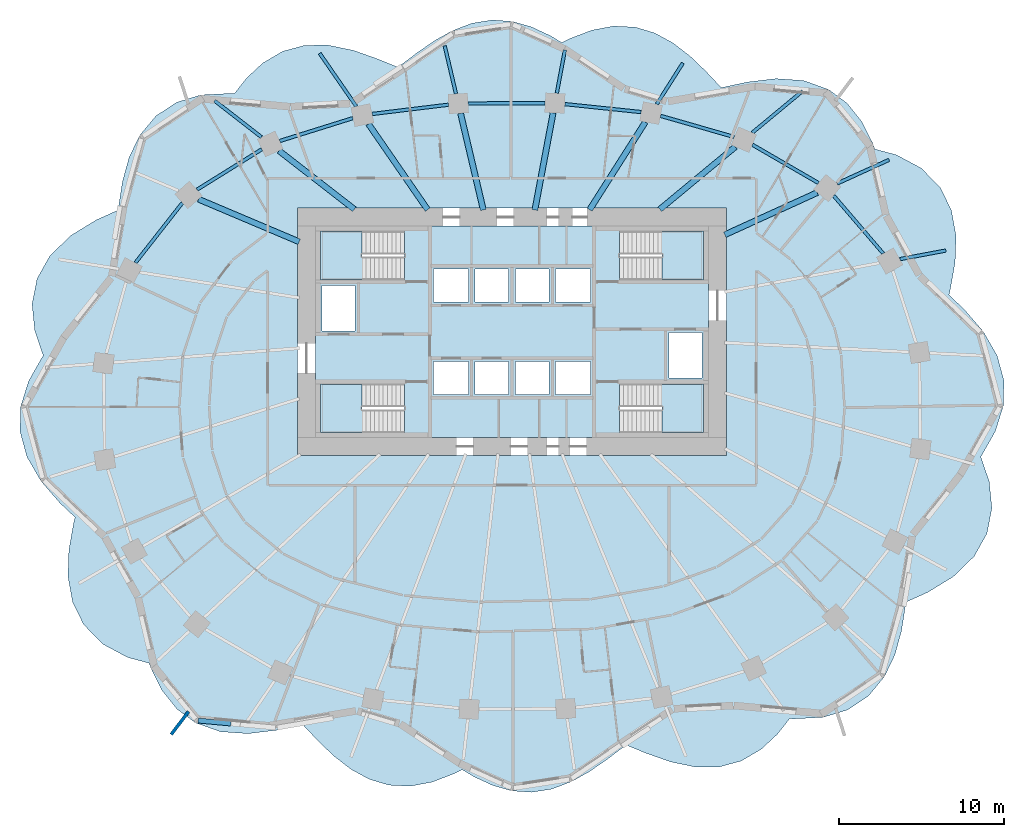
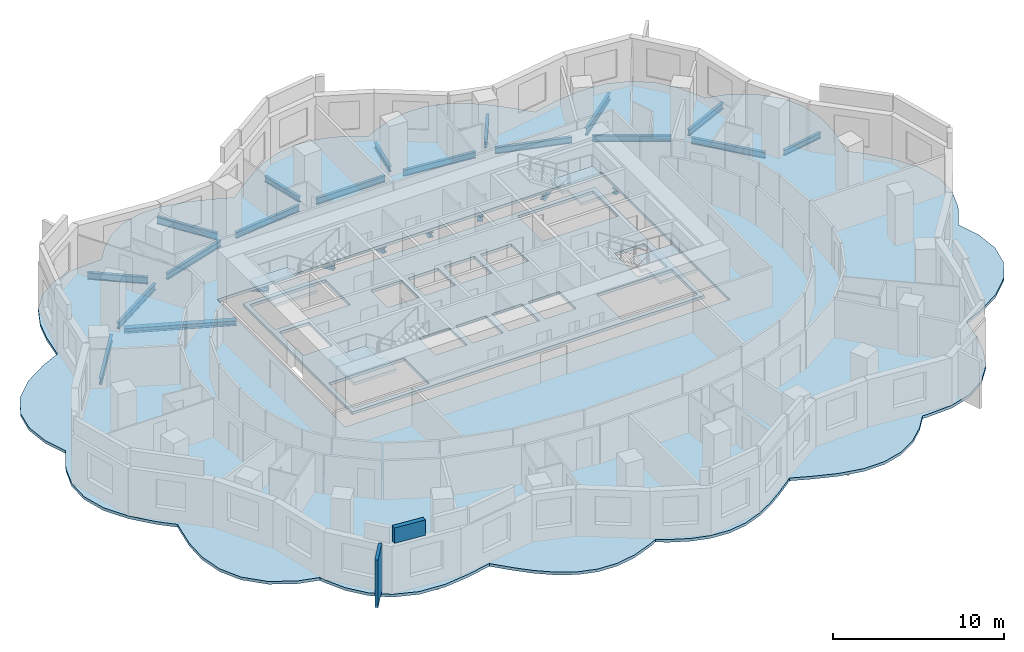
# One storey, part 2 of 11: 25 beams, 6 slabs, 2 walls, 4 elements without a shape of their own.
"""IFC4 building model written with IfcOpenShell, lengths in metres."""

import ifcopenshell
import ifcopenshell.guid

model = None  # the IFC model being written
_history = None  # IfcOwnerHistory: only IFC2X3 demands one
_inside = {}  # id of a spatial element -> (the spatial element, [elements in it])
_under = {}  # id of a project, library or spatial element -> (it, [spatial elements below it])
_declared = {}  # id of a project -> (the project, [libraries it declares])
_typed = {}  # id of a type object -> (the type object, [elements of that type])
_made_of = {}  # id of a material, layer set ... -> (it, [elements and type objects made of it])


def new_model(schema):
    """Start an empty IFC model of exactly this schema.

    Asked for "IFC4X3", IfcOpenShell would pick the latest addendum, in which some entities
    have other attributes; the version numbers below select the first issue.
    IFC2X3 requires an IfcOwnerHistory on every rooted entity: one is made here for all.
    """
    global model, _history
    if schema == "IFC4X3":
        model = ifcopenshell.file(schema_version=(4, 3, 0, 0))
    else:
        model = ifcopenshell.file(schema=schema)
    _inside.clear()
    _under.clear()
    _declared.clear()
    _typed.clear()
    _made_of.clear()
    _history = None
    if model.schema == "IFC2X3":
        org = make("IfcOrganization", Name="unknown")
        user = make(
            "IfcPersonAndOrganization",
            ThePerson=make("IfcPerson", FamilyName="unknown"),
            TheOrganization=org,
        )
        app = make(
            "IfcApplication",
            ApplicationDeveloper=org,
            Version="unknown",
            ApplicationFullName="unknown",
            ApplicationIdentifier="unknown",
        )
        _history = make(
            "IfcOwnerHistory",
            OwningUser=user,
            OwningApplication=app,
            ChangeAction="ADDED",
            CreationDate=0,
        )
    return model


def make(cls, **values):
    """One entity of the class cls with the attributes given. An attribute that is None is left unset."""
    return model.create_entity(
        cls, **{name: value for name, value in values.items() if value is not None}
    )


def rooted(cls, **values):
    """An entity with a GlobalId (a new one), such as an element, a storey or a relation."""
    return make(cls, GlobalId=ifcopenshell.guid.new(), OwnerHistory=_history, **values)


def si_unit(unit_type, name, prefix=None):
    """IfcSIUnit, for example si_unit("LENGTHUNIT", "METRE", prefix="MILLI")."""
    return make("IfcSIUnit", UnitType=unit_type, Prefix=prefix, Name=name)


def assignment(units):
    """IfcUnitAssignment: the units of a project."""
    return None if units is None else make("IfcUnitAssignment", Units=units)


def point(xyz):
    """IfcCartesianPoint."""
    return None if xyz is None else make("IfcCartesianPoint", Coordinates=xyz)


def direction(xyz):
    """IfcDirection."""
    return None if xyz is None else make("IfcDirection", DirectionRatios=xyz)


def frame(location, z_axis=None, x_axis=None):
    """IfcAxis2Placement3D, a coordinate frame: its origin and axes. An axis left out is left unset."""
    return make(
        "IfcAxis2Placement3D",
        Location=point(location),
        Axis=direction(z_axis),
        RefDirection=direction(x_axis),
    )


def frame_2d(location, x_axis=None):
    """IfcAxis2Placement2D, a coordinate frame in the plane: its origin and x axis."""
    return make(
        "IfcAxis2Placement2D", Location=point(location), RefDirection=direction(x_axis)
    )


def origin():
    """The frame at (0, 0, 0) with its axes left unset."""
    return frame((0.0, 0.0, 0.0))


def origin_2d():
    """The frame at (0, 0) in the plane with its x axis left unset."""
    return frame_2d((0.0, 0.0))


def place(relative_to, where):
    """IfcLocalPlacement: puts the frame where relative to a parent placement (None: the world)."""
    return make(
        "IfcLocalPlacement", PlacementRelTo=relative_to, RelativePlacement=where
    )


def context(
    kind, dimensions, precision=None, world=None, true_north=None, identifier=None
):
    """IfcGeometricRepresentationContext, for example the 3D "Model" context."""
    return make(
        "IfcGeometricRepresentationContext",
        ContextIdentifier=identifier,
        ContextType=kind,
        CoordinateSpaceDimension=dimensions,
        Precision=precision,
        WorldCoordinateSystem=world,
        TrueNorth=true_north,
    )


def subcontext(parent, identifier, kind, view, scale=None):
    """IfcGeometricRepresentationSubContext, for example "Body" below "Model"."""
    return make(
        "IfcGeometricRepresentationSubContext",
        ContextIdentifier=identifier,
        ContextType=kind,
        ParentContext=parent,
        TargetScale=scale,
        TargetView=view,
    )


def project(units=None, contexts=None):
    """IfcProject with its units and contexts."""
    return rooted(
        "IfcProject",
        Name="project",
        RepresentationContexts=contexts,
        UnitsInContext=assignment(units),
    )


def spatial(cls, under=None, at=None, **own):
    """A site, building, storey or space (cls), placed at a placement, below another one or the project."""
    s = rooted(cls, ObjectPlacement=at, **own)
    if under is not None:
        _under.setdefault(under.id(), (under, []))[1].append(s)
    return s


def polyline(points):
    """IfcPolyline through the points."""
    return make("IfcPolyline", Points=[point(p) for p in points])


def profile(cls, at=None, kind="AREA", **sizes):
    """A parametric profile (cls). Its sizes go by their IFC names, for example OverallWidth=200.0."""
    return make(cls, ProfileType=kind, Position=at, **sizes)


def rectangle(**sizes):
    """IfcRectangleProfileDef."""
    return profile("IfcRectangleProfileDef", **sizes)


def i_section(**sizes):
    """IfcIShapeProfileDef."""
    return profile("IfcIShapeProfileDef", **sizes)


def outline(outer, holes=None, kind="AREA"):
    """IfcArbitraryClosedProfileDef: a profile drawn as a closed curve; with holes, ...WithVoids."""
    if holes is None:
        return make("IfcArbitraryClosedProfileDef", ProfileType=kind, OuterCurve=outer)
    return make(
        "IfcArbitraryProfileDefWithVoids",
        ProfileType=kind,
        OuterCurve=outer,
        InnerCurves=holes,
    )


def extrude(swept, where, along, depth):
    """IfcExtrudedAreaSolid: the profile swept, set in the frame where, extruded along a direction by depth."""
    return make(
        "IfcExtrudedAreaSolid",
        SweptArea=swept,
        Position=where,
        ExtrudedDirection=direction(along),
        Depth=depth,
    )


def shape(context_of_items, identifier, shape_type, items):
    """IfcShapeRepresentation: the items that make up one representation, for example the "Body"."""
    return make(
        "IfcShapeRepresentation",
        ContextOfItems=context_of_items,
        RepresentationIdentifier=identifier,
        RepresentationType=shape_type,
        Items=items,
    )


def material(Name=None, Category=None):
    """IfcMaterial."""
    return make("IfcMaterial", Name=Name, Category=Category)


def layer(
    of_material, thickness, ventilated=None, Name=None, Category=None, Priority=None
):
    """IfcMaterialLayer: one layer of a wall or slab, of a material (None: an air gap)."""
    return make(
        "IfcMaterialLayer",
        Material=of_material,
        LayerThickness=thickness,
        IsVentilated=ventilated,
        Name=Name,
        Category=Category,
        Priority=Priority,
    )


def layer_set(layers, Name=None):
    """IfcMaterialLayerSet."""
    return make("IfcMaterialLayerSet", MaterialLayers=layers, LayerSetName=Name)


def material_profile(
    of_material, cross_section, Name=None, Category=None, Priority=None
):
    """IfcMaterialProfile: a cross section and its material."""
    return make(
        "IfcMaterialProfile",
        Name=Name,
        Material=of_material,
        Profile=cross_section,
        Priority=Priority,
        Category=Category,
    )


def profile_set(profiles, Name=None, composite=None):
    """IfcMaterialProfileSet."""
    return make(
        "IfcMaterialProfileSet",
        Name=Name,
        MaterialProfiles=profiles,
        CompositeProfile=composite,
    )


def made_of(thing, what):
    """Note that an element or type object is made of a material, layer set ...; save() writes the relation."""
    if what is not None:
        _made_of.setdefault(what.id(), (what, []))[1].append(thing)
    return thing


def type_object(cls, material=None, **own):
    """A type object (cls), such as IfcWallType, which elements share."""
    return made_of(rooted(cls, **own), material)


def element(
    cls,
    number,
    at=None,
    inside=None,
    cuts=None,
    type_object=None,
    material=None,
    context=None,
    identifier="Body",
    shape_type=None,
    held_by="IfcProductDefinitionShape",
    body=None,
    shapes=None,
    **own,
):
    """One element of the class cls, such as IfcWall. Its Tag is "e" and its number.

    at: its placement. inside: the storey or other place that contains it. cuts: it is an
    opening in that element (IfcRelVoidsElement). A single representation is given by context,
    identifier, shape_type and body (its items); several are given by shapes. held_by: the class
    of the entity that holds the representations. save() writes the other relations.
    """
    e = rooted(cls, Tag="e%d" % number, ObjectPlacement=at, **own)
    if body is not None:
        shapes = [shape(context, identifier, shape_type, body)]
    if shapes is not None:
        e.Representation = make(held_by, Representations=shapes)
    if inside is not None:
        _inside.setdefault(inside.id(), (inside, []))[1].append(e)
    if cuts is not None:
        rooted(
            "IfcRelVoidsElement", RelatingBuildingElement=cuts, RelatedOpeningElement=e
        )
    if type_object is not None:
        _typed.setdefault(type_object.id(), (type_object, []))[1].append(e)
    return made_of(e, material)


def aggregate(whole, parts):
    """IfcRelAggregates: a whole, such as a stair, and the parts it consists of."""
    return rooted("IfcRelAggregates", RelatingObject=whole, RelatedObjects=parts)


def save(model, path):
    """Write the relations noted so far, then the file.

    IfcRelAggregates (storeys below a building ...), IfcRelContainedInSpatialStructure (elements
    in a storey), IfcRelDefinesByType, IfcRelAssociatesMaterial and IfcRelDeclares: one each for
    every whole, place, type object, material and project.
    """
    for whole, parts in _under.values():
        aggregate(whole, parts)
    for where, things in _inside.values():
        rooted(
            "IfcRelContainedInSpatialStructure",
            RelatedElements=things,
            RelatingStructure=where,
        )
    for kind, things in _typed.values():
        rooted("IfcRelDefinesByType", RelatedObjects=things, RelatingType=kind)
    for what, things in _made_of.values():
        rooted("IfcRelAssociatesMaterial", RelatedObjects=things, RelatingMaterial=what)
    for by, libraries in _declared.values():
        rooted("IfcRelDeclares", RelatingContext=by, RelatedDefinitions=libraries)
    model.write(path)


model = new_model("IFC4")

# Units and contexts
model_context = context("Model", 3, precision=1e-05, world=origin(), true_north=direction((0.0, 1.0)))
body_context = subcontext(model_context, "Body", "Model", "MODEL_VIEW")
ifc_project = project(units=[si_unit("LENGTHUNIT", "METRE"), si_unit("AREAUNIT", "SQUARE_METRE"), si_unit("VOLUMEUNIT", "CUBIC_METRE"), si_unit("PLANEANGLEUNIT", "RADIAN"), si_unit("MASSUNIT", "GRAM", prefix="KILO")], contexts=[model_context])

# Site, building, storey
site_placement = place(None, origin())
site = spatial("IfcSite", under=ifc_project, at=site_placement, CompositionType="ELEMENT")
building_placement = place(site_placement, origin())
building = spatial("IfcBuilding", under=site, at=building_placement, Name="Rubra Terraces Tower", CompositionType="ELEMENT")
storey_placement = place(building_placement, frame((0.0, 0.0, 99.60009765625)))
storey = spatial("IfcBuildingStorey", under=building, at=storey_placement, Name="L23", CompositionType="ELEMENT", Elevation=99.60009765625)

# Beams
ifc_material_1 = material(Name="Steel Q355B", Category="steel")
ifc_material_profile_1 = material_profile(ifc_material_1, i_section(OverallWidth=0.199951171875, OverallDepth=0.39990234375, WebThickness=0.008056640625, FlangeThickness=0.012939453125, at=origin_2d()), Name="HN 400x200x8x13")
ifc_profile_set_1 = profile_set([ifc_material_profile_1], Name="Steel Q355B")
beam_type_1 = type_object("IfcBeamType", Name="CANTILEVER BEAM HN 400x200x8x13", PredefinedType="BEAM", material=ifc_profile_set_1)
beam_1_placement = place(storey_placement, frame((23.5009765625, 8.904052734375, -0.400146484375), z_axis=(0.982900503659, 0.184137448407, 0.0), x_axis=(-0.184137448407, 0.982900503659, 0.0)))
element("IfcBeam", 1, at=beam_1_placement, inside=storey, type_object=beam_type_1, Name="beam-L23-cant-02", PredefinedType="BEAM", context=body_context, shape_type="SweptSolid", body=[
    extrude(i_section(OverallWidth=0.199951171875, OverallDepth=0.39990234375, WebThickness=0.008056640625, FlangeThickness=0.012939453125, at=origin_2d()), origin(), (0.0, 0.0, 1.0), 2.829345703125),
])
beam_2_placement = place(storey_placement, frame((8.76806640625, 18.29296875, -0.400146484375), z_axis=(0.536506017285, 0.843896494493, 0.0), x_axis=(-0.843896494493, 0.536506017285, 0.0)))
element("IfcBeam", 2, at=beam_2_placement, inside=storey, type_object=beam_type_1, Name="beam-L23-cant-05", PredefinedType="BEAM", context=body_context, shape_type="SweptSolid", body=[
    extrude(i_section(OverallWidth=0.199951171875, OverallDepth=0.39990234375, WebThickness=0.008056640625, FlangeThickness=0.012939453125, at=origin_2d()), origin(), (0.0, 0.0, 1.0), 2.95068359375),
])
beam_3_placement = place(storey_placement, frame((2.714111328125, 18.952880859375, -0.400146484375), z_axis=(0.184266449601, 0.982876327699, 0.0), x_axis=(-0.982876327699, 0.184266449601, 0.0)))
element("IfcBeam", 3, at=beam_3_placement, inside=storey, type_object=beam_type_1, Name="beam-L23-cant-06", PredefinedType="BEAM", context=body_context, shape_type="SweptSolid", body=[
    extrude(i_section(OverallWidth=0.199951171875, OverallDepth=0.39990234375, WebThickness=0.008056640625, FlangeThickness=0.012939453125, at=origin_2d()), origin(), (0.0, 0.0, 1.0), 2.669677734375),
])
beam_4_placement = place(storey_placement, frame((-3.39306640625, 18.922119140625, -0.400146484375), z_axis=(-0.229208331065, 0.973377388771, 0.0), x_axis=(-0.973377388771, -0.229208331065, 0.0)))
element("IfcBeam", 4, at=beam_4_placement, inside=storey, type_object=beam_type_1, Name="beam-L23-cant-07", PredefinedType="BEAM", context=body_context, shape_type="SweptSolid", body=[
    extrude(i_section(OverallWidth=0.199951171875, OverallDepth=0.39990234375, WebThickness=0.008056640625, FlangeThickness=0.012939453125, at=origin_2d()), origin(), (0.0, 0.0, 1.0), 2.979248046875),
])
ifc_material_profile_2 = material_profile(ifc_material_1, i_section(OverallWidth=0.198974609375, OverallDepth=0.446044921875, WebThickness=0.008056640625, FlangeThickness=0.011962890625, at=origin_2d()), Name="HN 446x199x8x12")
ifc_profile_set_2 = profile_set([ifc_material_profile_2], Name="Steel Q355B")
beam_type_2 = type_object("IfcBeamType", Name="CANTILEVER BEAM HN 446x199x8x12", PredefinedType="BEAM", material=ifc_profile_set_2)
beam_5_placement = place(storey_placement, frame((19.697998046875, 13.485107421875, -0.423095703125), z_axis=(0.909753013399, 0.415149918236, 0.0), x_axis=(-0.415149918236, 0.909753013399, 0.0)))
element("IfcBeam", 5, at=beam_5_placement, inside=storey, type_object=beam_type_2, Name="beam-L23-cant-03", PredefinedType="BEAM", context=body_context, shape_type="SweptSolid", body=[
    extrude(i_section(OverallWidth=0.198974609375, OverallDepth=0.446044921875, WebThickness=0.008056640625, FlangeThickness=0.011962890625, at=origin_2d()), origin(), (0.0, 0.0, 1.0), 3.453857421875),
])
ifc_material_profile_3 = material_profile(ifc_material_1, i_section(OverallWidth=0.198974609375, OverallDepth=0.49609375, WebThickness=0.009033203125, FlangeThickness=0.013916015625, at=origin_2d()), Name="HN 496x199x9x14")
ifc_profile_set_3 = profile_set([ifc_material_profile_3], Name="Steel Q355B")
beam_type_3 = type_object("IfcBeamType", Name="CANTILEVER BEAM HN 496x199x9x14", PredefinedType="BEAM", material=ifc_profile_set_3)
beam_6_placement = place(storey_placement, frame((14.56201171875, 16.56689453125, -0.447998046875), z_axis=(0.769981645212, 0.638066035796, 0.0), x_axis=(-0.638066035796, 0.769981645212, 0.0)))
element("IfcBeam", 6, at=beam_6_placement, inside=storey, type_object=beam_type_3, Name="beam-L23-cant-04", PredefinedType="BEAM", context=body_context, shape_type="SweptSolid", body=[
    extrude(i_section(OverallWidth=0.198974609375, OverallDepth=0.49609375, WebThickness=0.009033203125, FlangeThickness=0.013916015625, at=origin_2d()), origin(), (0.0, 0.0, 1.0), 3.949462890625),
])
beam_7_placement = place(storey_placement, frame((-9.431884765625, 18.158935546875, -0.447998046875), z_axis=(-0.568196775226, 0.822892717566, 0.0), x_axis=(-0.822892717566, -0.568196775226, 0.0)))
element("IfcBeam", 7, at=beam_7_placement, inside=storey, type_object=beam_type_3, Name="beam-L23-cant-08", PredefinedType="BEAM", context=body_context, shape_type="SweptSolid", body=[
    extrude(i_section(OverallWidth=0.198974609375, OverallDepth=0.49609375, WebThickness=0.009033203125, FlangeThickness=0.013916015625, at=origin_2d()), origin(), (0.0, 0.0, 1.0), 3.8984375),
])
beam_8_placement = place(storey_placement, frame((-15.177001953125, 16.2958984375, -0.447998046875), z_axis=(-0.789542430664, 0.613695975366, 0.0), x_axis=(-0.613695975366, -0.789542430664, 0.0)))
element("IfcBeam", 8, at=beam_8_placement, inside=storey, type_object=beam_type_3, Name="beam-L23-cant-09", PredefinedType="BEAM", context=body_context, shape_type="SweptSolid", body=[
    extrude(i_section(OverallWidth=0.198974609375, OverallDepth=0.49609375, WebThickness=0.009033203125, FlangeThickness=0.013916015625, at=origin_2d()), origin(), (0.0, 0.0, 1.0), 3.593017578125),
])
ifc_material_profile_4 = material_profile(ifc_material_1, i_section(OverallWidth=0.35009765625, OverallDepth=0.35009765625, WebThickness=0.011962890625, FlangeThickness=0.01904296875, at=origin_2d()), Name="HW 350x350x12x19")
ifc_profile_set_4 = profile_set([ifc_material_profile_4], Name="Steel Q355B")
beam_type_4 = type_object("IfcBeamType", Name="FLOOR BEAM HW 350x350x12x19", PredefinedType="BEAM", material=ifc_profile_set_4)
beam_9_placement = place(storey_placement, frame((18.486083984375, 12.93310546875, -0.375), z_axis=(-0.909749612827, -0.415157370116, 0.0), x_axis=(0.415157370116, -0.909749612827, 0.0)))
element("IfcBeam", 9, at=beam_9_placement, inside=storey, type_object=beam_type_4, Name="beam-L23-floor-03", PredefinedType="BEAM", context=body_context, shape_type="SweptSolid", body=[
    extrude(i_section(OverallWidth=0.35009765625, OverallDepth=0.35009765625, WebThickness=0.011962890625, FlangeThickness=0.01904296875, at=origin_2d()), origin(), (0.0, 0.0, 1.0), 6.14990234375),
])
beam_10_placement = place(storey_placement, frame((13.52197265625, 15.705078125, -0.375), z_axis=(-0.769987448283, -0.638059032917, 0.0), x_axis=(0.638059032917, -0.769987448283, 0.0)))
element("IfcBeam", 10, at=beam_10_placement, inside=storey, type_object=beam_type_4, Name="beam-L23-floor-04", PredefinedType="BEAM", context=body_context, shape_type="SweptSolid", body=[
    extrude(i_section(OverallWidth=0.35009765625, OverallDepth=0.35009765625, WebThickness=0.011962890625, FlangeThickness=0.01904296875, at=origin_2d()), origin(), (0.0, 0.0, 1.0), 5.92724609375),
])
beam_11_placement = place(storey_placement, frame((8.075927734375, 17.205078125, -0.375), z_axis=(-0.536468405163, -0.843920405169, 0.0), x_axis=(0.843920405169, -0.536468405163, 0.0)))
element("IfcBeam", 11, at=beam_11_placement, inside=storey, type_object=beam_type_4, Name="beam-L23-floor-05", PredefinedType="BEAM", context=body_context, shape_type="SweptSolid", body=[
    extrude(i_section(OverallWidth=0.35009765625, OverallDepth=0.35009765625, WebThickness=0.011962890625, FlangeThickness=0.01904296875, at=origin_2d()), origin(), (0.0, 0.0, 1.0), 6.28759765625),
])
beam_12_placement = place(storey_placement, frame((2.489990234375, 17.762939453125, -0.375), z_axis=(-0.184505318504, -0.982831515288, 0.0), x_axis=(0.982831515288, -0.184505318504, 0.0)))
element("IfcBeam", 12, at=beam_12_placement, inside=storey, type_object=beam_type_4, Name="beam-L23-floor-06", PredefinedType="BEAM", context=body_context, shape_type="SweptSolid", body=[
    extrude(i_section(OverallWidth=0.35009765625, OverallDepth=0.35009765625, WebThickness=0.011962890625, FlangeThickness=0.01904296875, at=origin_2d()), origin(), (0.0, 0.0, 1.0), 5.983642578125),
])
beam_13_placement = place(storey_placement, frame((-3.114990234375, 17.738037109375, -0.375), z_axis=(0.229084580284, -0.973406520975, 0.0), x_axis=(0.973406520975, 0.229084580284, 0.0)))
element("IfcBeam", 13, at=beam_13_placement, inside=storey, type_object=beam_type_4, Name="beam-L23-floor-07", PredefinedType="BEAM", context=body_context, shape_type="SweptSolid", body=[
    extrude(i_section(OverallWidth=0.35009765625, OverallDepth=0.35009765625, WebThickness=0.011962890625, FlangeThickness=0.01904296875, at=origin_2d()), origin(), (0.0, 0.0, 1.0), 6.014892578125),
])
beam_14_placement = place(storey_placement, frame((-8.694091796875, 17.091064453125, -0.375), z_axis=(0.568116443955, -0.822948179479, 0.0), x_axis=(0.822948179479, 0.568116443955, 0.0)))
element("IfcBeam", 14, at=beam_14_placement, inside=storey, type_object=beam_type_4, Name="beam-L23-floor-08", PredefinedType="BEAM", context=body_context, shape_type="SweptSolid", body=[
    extrude(i_section(OverallWidth=0.35009765625, OverallDepth=0.35009765625, WebThickness=0.011962890625, FlangeThickness=0.01904296875, at=origin_2d()), origin(), (0.0, 0.0, 1.0), 6.306884765625),
])
beam_15_placement = place(storey_placement, frame((-14.10888671875, 15.466064453125, -0.375), z_axis=(0.789514006973, -0.613732541742, 0.0), x_axis=(0.613732541742, 0.789514006973, 0.0)))
element("IfcBeam", 15, at=beam_15_placement, inside=storey, type_object=beam_type_4, Name="beam-L23-floor-09", PredefinedType="BEAM", context=body_context, shape_type="SweptSolid", body=[
    extrude(i_section(OverallWidth=0.35009765625, OverallDepth=0.35009765625, WebThickness=0.011962890625, FlangeThickness=0.01904296875, at=origin_2d()), origin(), (0.0, 0.0, 1.0), 5.76806640625),
])
beam_16_placement = place(storey_placement, frame((-18.98291015625, 12.531982421875, -0.375), z_axis=(0.920986092, -0.389595454726, 0.0), x_axis=(0.389595454726, 0.920986092, 0.0)))
element("IfcBeam", 16, at=beam_16_placement, inside=storey, type_object=beam_type_4, Name="beam-L23-floor-10", PredefinedType="BEAM", context=body_context, shape_type="SweptSolid", body=[
    extrude(i_section(OverallWidth=0.35009765625, OverallDepth=0.35009765625, WebThickness=0.011962890625, FlangeThickness=0.01904296875, at=origin_2d()), origin(), (0.0, 0.0, 1.0), 6.61669921875),
])
ifc_material_profile_5 = material_profile(ifc_material_1, i_section(OverallWidth=0.198974609375, OverallDepth=0.446044921875, WebThickness=0.008056640625, FlangeThickness=0.011962890625, at=origin_2d()), Name="HN 446x199x8x12")
ifc_profile_set_5 = profile_set([ifc_material_profile_5], Name="Steel Q355B")
beam_type_5 = type_object("IfcBeamType", Name="SPANDREL BEAM HN 446x199x8x12", PredefinedType="SPANDREL", material=ifc_profile_set_5)
beam_17_placement = place(storey_placement, frame((22.48095703125, 9.251953125, -0.423095703125), z_axis=(-0.650428637413, 0.759567368726, 0.0), x_axis=(-0.759567368726, -0.650428637413, 0.0)))
element("IfcBeam", 17, at=beam_17_placement, inside=storey, type_object=beam_type_5, Name="beam-L23-spandrel-02", PredefinedType="SPANDREL", context=body_context, shape_type="SweptSolid", body=[
    extrude(i_section(OverallWidth=0.198974609375, OverallDepth=0.446044921875, WebThickness=0.008056640625, FlangeThickness=0.011962890625, at=origin_2d()), origin(), (0.0, 0.0, 1.0), 4.6015625),
])
beam_18_placement = place(storey_placement, frame((18.56494140625, 13.513916015625, -0.423095703125), z_axis=(-0.865116425734, 0.501571101565, 0.0), x_axis=(-0.501571101565, -0.865116425734, 0.0)))
element("IfcBeam", 18, at=beam_18_placement, inside=storey, type_object=beam_type_5, Name="beam-L23-spandrel-03", PredefinedType="SPANDREL", context=body_context, shape_type="SweptSolid", body=[
    extrude(i_section(OverallWidth=0.198974609375, OverallDepth=0.446044921875, WebThickness=0.008056640625, FlangeThickness=0.011962890625, at=origin_2d()), origin(), (0.0, 0.0, 1.0), 4.62353515625),
])
beam_19_placement = place(storey_placement, frame((13.4609375, 16.302978515625, -0.423095703125), z_axis=(-0.961195652649, 0.275867572085, 0.0), x_axis=(-0.275867572085, -0.961195652649, 0.0)))
element("IfcBeam", 19, at=beam_19_placement, inside=storey, type_object=beam_type_5, Name="beam-L23-spandrel-04", PredefinedType="SPANDREL", context=body_context, shape_type="SweptSolid", body=[
    extrude(i_section(OverallWidth=0.198974609375, OverallDepth=0.446044921875, WebThickness=0.008056640625, FlangeThickness=0.011962890625, at=origin_2d()), origin(), (0.0, 0.0, 1.0), 4.639892578125),
])
beam_20_placement = place(storey_placement, frame((7.822998046875, 17.81201171875, -0.423095703125), z_axis=(-0.994588599148, 0.103891859374, 0.0), x_axis=(-0.103891859374, -0.994588599148, 0.0)))
element("IfcBeam", 20, at=beam_20_placement, inside=storey, type_object=beam_type_5, Name="beam-L23-spandrel-05", PredefinedType="SPANDREL", context=body_context, shape_type="SweptSolid", body=[
    extrude(i_section(OverallWidth=0.198974609375, OverallDepth=0.446044921875, WebThickness=0.008056640625, FlangeThickness=0.011962890625, at=origin_2d()), origin(), (0.0, 0.0, 1.0), 4.648193359375),
])
beam_21_placement = place(storey_placement, frame((2.0009765625, 18.35498046875, -0.423095703125), z_axis=(-0.99998885538, -0.004721135025, 0.0), x_axis=(0.004721135025, -0.99998885538, 0.0)))
element("IfcBeam", 21, at=beam_21_placement, inside=storey, type_object=beam_type_5, Name="beam-L23-spandrel-06", PredefinedType="SPANDREL", context=body_context, shape_type="SweptSolid", body=[
    extrude(i_section(OverallWidth=0.198974609375, OverallDepth=0.446044921875, WebThickness=0.008056640625, FlangeThickness=0.011962890625, at=origin_2d()), origin(), (0.0, 0.0, 1.0), 4.654052734375),
])
beam_22_placement = place(storey_placement, frame((-3.85107421875, 18.258056640625, -0.423095703125), z_axis=(-0.992713612833, -0.120497646851, 0.0), x_axis=(0.120497646851, -0.992713612833, 0.0)))
element("IfcBeam", 22, at=beam_22_placement, inside=storey, type_object=beam_type_5, Name="beam-L23-spandrel-07", PredefinedType="SPANDREL", context=body_context, shape_type="SweptSolid", body=[
    extrude(i_section(OverallWidth=0.198974609375, OverallDepth=0.446044921875, WebThickness=0.008056640625, FlangeThickness=0.011962890625, at=origin_2d()), origin(), (0.0, 0.0, 1.0), 4.64794921875),
])
beam_23_placement = place(storey_placement, frame((-9.637939453125, 17.445068359375, -0.423095703125), z_axis=(-0.954462184919, -0.298331925142, 0.0), x_axis=(0.298331925142, -0.954462184919, 0.0)))
element("IfcBeam", 23, at=beam_23_placement, inside=storey, type_object=beam_type_5, Name="beam-L23-spandrel-08", PredefinedType="SPANDREL", context=body_context, shape_type="SweptSolid", body=[
    extrude(i_section(OverallWidth=0.198974609375, OverallDepth=0.446044921875, WebThickness=0.008056640625, FlangeThickness=0.011962890625, at=origin_2d()), origin(), (0.0, 0.0, 1.0), 4.63916015625),
])
beam_24_placement = place(storey_placement, frame((-15.156005859375, 15.56103515625, -0.423095703125), z_axis=(-0.848188188849, -0.529695003089, 0.0), x_axis=(0.529695003089, -0.848188188849, 0.0)))
element("IfcBeam", 24, at=beam_24_placement, inside=storey, type_object=beam_type_5, Name="beam-L23-spandrel-09", PredefinedType="SPANDREL", context=body_context, shape_type="SweptSolid", body=[
    extrude(i_section(OverallWidth=0.198974609375, OverallDepth=0.446044921875, WebThickness=0.008056640625, FlangeThickness=0.011962890625, at=origin_2d()), origin(), (0.0, 0.0, 1.0), 4.62158203125),
])
beam_25_placement = place(storey_placement, frame((-19.968994140625, 12.31103515625, -0.423095703125), z_axis=(-0.61694919408, -0.787002980886, 0.0), x_axis=(0.787002980886, -0.61694919408, 0.0)))
element("IfcBeam", 25, at=beam_25_placement, inside=storey, type_object=beam_type_5, Name="beam-L23-spandrel-10", PredefinedType="SPANDREL", context=body_context, shape_type="SweptSolid", body=[
    extrude(i_section(OverallWidth=0.198974609375, OverallDepth=0.446044921875, WebThickness=0.008056640625, FlangeThickness=0.011962890625, at=origin_2d()), origin(), (0.0, 0.0, 1.0), 4.599853515625),
])

# Slab
ifc_material_2 = material(Name="Concrete C40", Category="concrete")
ifc_layer_1 = layer(ifc_material_2, 0.199951171875)
ifc_layer_set_1 = layer_set([ifc_layer_1], Name="Concrete C40")
slab_type_1 = type_object("IfcSlabType", Name="Core floor slab 200 concrete", PredefinedType="FLOOR", material=ifc_layer_set_1)
slab_1_placement = place(storey_placement, frame((0.0, 0.0, -0.2001953125)))
element("IfcSlab", 26, at=slab_1_placement, inside=storey, type_object=slab_type_1, Name="CORE FLOOR SLAB L23", PredefinedType="FLOOR", context=body_context, shape_type="SweptSolid", body=[
    extrude(outline(polyline([(-11.89990234375, -1.89990234375), (-11.89990234375, 10.89990234375), (11.89990234375, 10.89990234375), (11.89990234375, -1.89990234375), (-11.89990234375, -1.89990234375)]), holes=[polyline([(11.597900390625, 1.347900390625), (6.501953125, 1.347900390625), (6.501953125, -1.597900390625), (11.597900390625, -1.597900390625), (11.597900390625, 1.347900390625)]), polyline([(11.597900390625, 7.652099609375), (11.597900390625, 10.597900390625), (6.501953125, 10.597900390625), (6.501953125, 7.652099609375), (11.597900390625, 7.652099609375)]), polyline([(9.5, 1.699951171875), (11.5, 1.699951171875), (11.5, 4.449951171875), (9.5, 4.449951171875), (9.5, 1.699951171875)]), polyline([(4.75, 0.699951171875), (4.75, 2.699951171875), (2.64990234375, 2.699951171875), (2.64990234375, 0.699951171875), (4.75, 0.699951171875)]), polyline([(4.75, 6.300048828125), (4.75, 8.300048828125), (2.64990234375, 8.300048828125), (2.64990234375, 6.300048828125), (4.75, 6.300048828125)]), polyline([(2.25, 0.699951171875), (2.25, 2.699951171875), (0.199951171875, 2.699951171875), (0.199951171875, 0.699951171875), (2.25, 0.699951171875)]), polyline([(2.25, 6.300048828125), (2.25, 8.300048828125), (0.199951171875, 8.300048828125), (0.199951171875, 6.300048828125), (2.25, 6.300048828125)]), polyline([(-0.199951171875, 0.699951171875), (-0.199951171875, 2.699951171875), (-2.25, 2.699951171875), (-2.25, 0.699951171875), (-0.199951171875, 0.699951171875)]), polyline([(-0.199951171875, 6.300048828125), (-0.199951171875, 8.300048828125), (-2.25, 8.300048828125), (-2.25, 6.300048828125), (-0.199951171875, 6.300048828125)]), polyline([(-2.64990234375, 0.699951171875), (-2.64990234375, 2.699951171875), (-4.75, 2.699951171875), (-4.75, 0.699951171875), (-2.64990234375, 0.699951171875)]), polyline([(-2.64990234375, 8.300048828125), (-4.75, 8.300048828125), (-4.75, 6.300048828125), (-2.64990234375, 6.300048828125), (-2.64990234375, 8.300048828125)]), polyline([(-11.597900390625, -1.597900390625), (-6.501953125, -1.597900390625), (-6.501953125, 1.347900390625), (-11.597900390625, 1.347900390625), (-11.597900390625, -1.597900390625)]), polyline([(-11.597900390625, 10.597900390625), (-11.597900390625, 7.652099609375), (-6.501953125, 7.652099609375), (-6.501953125, 10.597900390625), (-11.597900390625, 10.597900390625)]), polyline([(-9.5, 4.550048828125), (-9.5, 7.300048828125), (-11.5, 7.300048828125), (-11.5, 4.550048828125), (-9.5, 4.550048828125)])]), origin(), (0.0, 0.0, 1.0), 0.2001953125),
])

# Stair, slab
stair_type = type_object("IfcStairType", Name="Core stair 1400", PredefinedType="HALF_TURN_STAIR", material=ifc_material_2)
stair_1_placement = place(storey_placement, origin())
stair_1 = element("IfcStair", 27, at=stair_1_placement, inside=storey, type_object=stair_type, Name="L23 Exit stair S1", PredefinedType="HALF_TURN_STAIR")
ifc_layer_2 = layer(ifc_material_2, 0.199951171875)
ifc_layer_set_2 = layer_set([ifc_layer_2], Name="Concrete C40")
slab_type_2 = type_object("IfcSlabType", Name="Core stair landing 200", PredefinedType="LANDING", material=ifc_layer_set_2)
slab_2_placement = place(storey_placement, frame((0.0, 0.0, 1.599853515625)))
slab_2 = element("IfcSlab", 28, at=slab_2_placement, type_object=slab_type_2, Name="S1 landing 1", PredefinedType="LANDING", context=body_context, shape_type="SweptSolid", body=[
    extrude(outline(polyline([(-8.719970703125, -0.199951171875), (-8.719970703125, -1.60009765625), (-9.10009765625, -1.60009765625), (-9.1201171875, -1.60009765625), (-11.60009765625, -1.60009765625), (-11.60009765625, 1.35009765625), (-9.1201171875, 1.35009765625), (-9.097900390625, 1.35009765625), (-9.097900390625, -0.050048828125), (-9.10009765625, -0.050048828125), (-9.10009765625, -0.199951171875), (-8.719970703125, -0.199951171875)])), origin(), (0.0, 0.0, 1.0), 0.199951171875),
])
aggregate(stair_1, [slab_2])

stair_2_placement = place(storey_placement, origin())
stair_2 = element("IfcStair", 29, at=stair_2_placement, inside=storey, type_object=stair_type, Name="L23 Exit stair S2", PredefinedType="HALF_TURN_STAIR")
slab_3_placement = place(storey_placement, frame((0.0, 0.0, 1.599853515625)))
slab_3 = element("IfcSlab", 30, at=slab_3_placement, type_object=slab_type_2, Name="S2 landing 1", PredefinedType="LANDING", context=body_context, shape_type="SweptSolid", body=[
    extrude(outline(polyline([(-8.719970703125, 9.050048828125), (-8.719970703125, 7.64990234375), (-9.1201171875, 7.64990234375), (-11.60009765625, 7.64990234375), (-11.60009765625, 10.60009765625), (-9.1201171875, 10.60009765625), (-9.10009765625, 10.60009765625), (-9.097900390625, 10.60009765625), (-9.097900390625, 9.199951171875), (-9.10009765625, 9.199951171875), (-9.10009765625, 9.050048828125), (-8.719970703125, 9.050048828125)])), origin(), (0.0, 0.0, 1.0), 0.199951171875),
])
aggregate(stair_2, [slab_3])

stair_3_placement = place(storey_placement, origin())
stair_3 = element("IfcStair", 31, at=stair_3_placement, inside=storey, type_object=stair_type, Name="L23 Exit stair S3", PredefinedType="HALF_TURN_STAIR")
slab_4_placement = place(storey_placement, frame((0.0, 0.0, 1.599853515625)))
slab_4 = element("IfcSlab", 32, at=slab_4_placement, type_object=slab_type_2, Name="S3 landing 1", PredefinedType="LANDING", context=body_context, shape_type="SweptSolid", body=[
    extrude(outline(polyline([(9.10009765625, 9.050048828125), (9.10009765625, 9.199951171875), (8.719970703125, 9.199951171875), (8.719970703125, 10.60009765625), (9.10009765625, 10.60009765625), (9.1201171875, 10.60009765625), (11.60009765625, 10.60009765625), (11.60009765625, 7.64990234375), (9.1201171875, 7.64990234375), (9.097900390625, 7.64990234375), (9.097900390625, 9.050048828125), (9.10009765625, 9.050048828125)])), origin(), (0.0, 0.0, 1.0), 0.199951171875),
])
aggregate(stair_3, [slab_4])

stair_4_placement = place(storey_placement, origin())
stair_4 = element("IfcStair", 33, at=stair_4_placement, inside=storey, type_object=stair_type, Name="L23 Exit stair S4", PredefinedType="HALF_TURN_STAIR")
slab_5_placement = place(storey_placement, frame((0.0, 0.0, 1.599853515625)))
slab_5 = element("IfcSlab", 34, at=slab_5_placement, type_object=slab_type_2, Name="S4 landing 1", PredefinedType="LANDING", context=body_context, shape_type="SweptSolid", body=[
    extrude(outline(polyline([(9.10009765625, -0.199951171875), (9.10009765625, -0.050048828125), (8.719970703125, -0.050048828125), (8.719970703125, 1.35009765625), (9.10009765625, 1.35009765625), (9.1201171875, 1.35009765625), (11.60009765625, 1.35009765625), (11.60009765625, -1.60009765625), (9.1201171875, -1.60009765625), (9.10009765625, -1.60009765625), (9.097900390625, -1.60009765625), (9.097900390625, -0.199951171875), (9.10009765625, -0.199951171875)])), origin(), (0.0, 0.0, 1.0), 0.199951171875),
])
aggregate(stair_4, [slab_5])

# Slab
ifc_layer_3 = layer(ifc_material_2, 0.199951171875)
ifc_layer_set_3 = layer_set([ifc_layer_3], Name="Concrete C40")
slab_type_3 = type_object("IfcSlabType", Name="FLOOR SLAB 200 COMPOSITE", PredefinedType="FLOOR", material=ifc_layer_set_3)
slab_6_placement = place(storey_placement, frame((0.0, 0.0, -0.2001953125)))
element("IfcSlab", 35, at=slab_6_placement, inside=storey, type_object=slab_type_3, Name="FLOOR SLAB L23", PredefinedType="FLOOR", context=body_context, shape_type="SweptSolid", body=[
    extrude(outline(polyline([(23.280029296875, 15.22412109375), (21.97509765625, 15.571044921875), (21.8701171875, 15.889892578125), (21.199951171875, 17.222900390625), (20.301025390625, 18.346923828125), (19.179931640625, 19.179931640625), (17.657958984375, 19.72412109375), (15.985107421875, 19.839111328125), (14.263916015625, 19.633056640625), (12.676025390625, 19.2939453125), (12.596923828125, 19.3779296875), (11.72509765625, 20.303955078125), (10.798095703125, 21.19189453125), (9.7509765625, 22.001953125), (8.634033203125, 22.60888671875), (7.4599609375, 22.958984375), (6.156982421875, 23.02197265625), (4.837890625, 22.77490234375), (3.528076171875, 22.27490234375), (3.02392578125, 22.01708984375), (2.31591796875, 22.444091796875), (1.162109375, 22.97900390625), (0.0, 23.306884765625), (-1.201904296875, 23.389892578125), (-2.408935546875, 23.197998046875), (-3.60302734375, 22.7470703125), (-4.675048828125, 22.14794921875), (-5.714111328125, 21.43408203125), (-6.718017578125, 20.675048828125), (-7.68701171875, 19.948974609375), (-6.9130859375, 20.529052734375), (-8.09912109375, 21.01806640625), (-9.613037109375, 21.552001953125), (-11.14208984375, 21.866943359375), (-12.552978515625, 21.85595703125), (-13.886962890625, 21.4951171875), (-15.10009765625, 20.782958984375), (-16.069091796875, 19.883056640625), (-16.824951171875, 18.924072265625), (-15.18798828125, 18.7509765625), (-17.028076171875, 18.945068359375), (-18.85009765625, 18.85009765625), (-20.320068359375, 18.403076171875), (-21.5791015625, 17.572998046875), (-22.55908203125, 16.389892578125), (-23.196044921875, 15.06103515625), (-23.595947265625, 13.60791015625), (-23.824951171875, 12.139892578125), (-23.85400390625, 11.8759765625), (-25.175048828125, 11.283935546875), (-26.72509765625, 10.337890625), (-28.0, 9.097900390625), (-28.77099609375, 7.715087890625), (-29.072021484375, 6.176025390625), (-28.912109375, 4.5791015625), (-28.39599609375, 3.05810546875), (-28.449951171875, 2.988037109375), (-29.281982421875, 1.51904296875), (-29.757080078125, 0.0), (-29.802978515625, -1.535888671875), (-29.383056640625, -3.072021484375), (-28.547119140625, -4.52099609375), (-27.39111328125, -5.866943359375), (-26.471923828125, -6.73095703125), (-26.551025390625, -7.068115234375), (-26.843994140625, -8.721923828125), (-26.89794921875, -10.322021484375), (-26.618896484375, -11.860107421875), (-25.9541015625, -13.22412109375), (-24.791015625, -14.4169921875), (-23.280029296875, -15.22412109375), (-21.97509765625, -15.571044921875), (-21.8701171875, -15.889892578125), (-21.199951171875, -17.222900390625), (-20.301025390625, -18.346923828125), (-19.179931640625, -19.179931640625), (-17.657958984375, -19.72412109375), (-15.985107421875, -19.839111328125), (-14.263916015625, -19.633056640625), (-12.676025390625, -19.2939453125), (-12.596923828125, -19.3779296875), (-11.72509765625, -20.303955078125), (-10.798095703125, -21.19189453125), (-9.7509765625, -22.001953125), (-8.634033203125, -22.60888671875), (-7.4599609375, -22.958984375), (-6.156982421875, -23.02197265625), (-4.837890625, -22.77490234375), (-3.528076171875, -22.27490234375), (-3.02392578125, -22.01708984375), (-2.31591796875, -22.444091796875), (-1.162109375, -22.97900390625), (0.0, -23.306884765625), (1.201904296875, -23.389892578125), (2.408935546875, -23.197998046875), (3.60302734375, -22.7470703125), (4.675048828125, -22.14794921875), (5.714111328125, -21.43408203125), (6.718017578125, -20.675048828125), (7.68701171875, -19.948974609375), (6.9130859375, -20.529052734375), (8.09912109375, -21.01806640625), (9.613037109375, -21.552001953125), (11.14208984375, -21.866943359375), (12.552978515625, -21.85595703125), (13.886962890625, -21.4951171875), (15.10009765625, -20.782958984375), (16.069091796875, -19.883056640625), (16.824951171875, -18.924072265625), (15.18798828125, -18.7509765625), (17.028076171875, -18.945068359375), (18.85009765625, -18.85009765625), (20.320068359375, -18.403076171875), (21.5791015625, -17.572998046875), (22.55908203125, -16.389892578125), (23.196044921875, -15.06103515625), (23.595947265625, -13.60791015625), (23.824951171875, -12.139892578125), (23.85400390625, -11.8759765625), (25.175048828125, -11.283935546875), (26.72509765625, -10.337890625), (28.0, -9.097900390625), (28.77099609375, -7.715087890625), (29.072021484375, -6.176025390625), (28.912109375, -4.5791015625), (28.39599609375, -3.05810546875), (28.449951171875, -2.988037109375), (29.281982421875, -1.51904296875), (29.757080078125, 0.0), (29.802978515625, 1.535888671875), (29.383056640625, 3.072021484375), (28.547119140625, 4.52099609375), (27.39111328125, 5.866943359375), (26.471923828125, 6.73095703125), (26.551025390625, 7.068115234375), (26.843994140625, 8.721923828125), (26.89794921875, 10.322021484375), (26.618896484375, 11.860107421875), (25.9541015625, 13.22412109375), (24.791015625, 14.4169921875), (23.280029296875, 15.22412109375)]), holes=[polyline([(13.0, 12.0), (13.0, -3.0), (-13.0, -3.0), (-13.0, 12.0), (13.0, 12.0)])]), origin(), (0.0, 0.0, 1.0), 0.2001953125),
])

# Walls
ifc_material_3 = material(Name="Brick masonry red-brown", Category="masonry")
ifc_layer_4 = layer(ifc_material_3, 0.300048828125)
ifc_layer_set_4 = layer_set([ifc_layer_4], Name="Brick masonry red-brown")
wall_type_1 = type_object("IfcWallType", Name="Brick parapet 300", PredefinedType="PARAPET", material=ifc_layer_set_4)
wall_1_placement = place(storey_placement, frame((-19.01123046875, -19.044921875, 3.599853515625), z_axis=(0.0, 0.0, 1.0), x_axis=(0.995779953678, -0.09177300176, 0.0)))
element("IfcWall", 36, at=wall_1_placement, inside=storey, type_object=wall_type_1, Name="Parapet L23 bay 26", PredefinedType="PARAPET", context=body_context, shape_type="SweptSolid", body=[
    extrude(rectangle(XDim=1.992431640625, YDim=0.300048828125, at=frame_2d((0.99609375, 0.0))), origin(), (0.0, 0.0, 1.0), 1.10009765625),
])
ifc_layer_5 = layer(ifc_material_3, 0.199951171875)
ifc_layer_set_5 = layer_set([ifc_layer_5], Name="Brick masonry red-brown")
wall_type_2 = type_object("IfcWallType", Name="Brick wind fin 200", PredefinedType="SOLIDWALL", material=ifc_layer_set_5)
wall_2_placement = place(storey_placement, frame((-19.591064453125, -18.498046875, 0.0), z_axis=(0.0, 0.0, 1.0), x_axis=(-0.603387525063, -0.797448114048, 0.0)))
element("IfcWall", 37, at=wall_2_placement, inside=storey, type_object=wall_type_2, Name="Wind fin L23 15", PredefinedType="SOLIDWALL", context=body_context, shape_type="SweptSolid", body=[
    extrude(rectangle(XDim=1.75, YDim=0.199951171875, at=frame_2d((0.875, 0.0))), origin(), (0.0, 0.0, 1.0), 3.39990234375),
])

save(model, "model.ifc")
